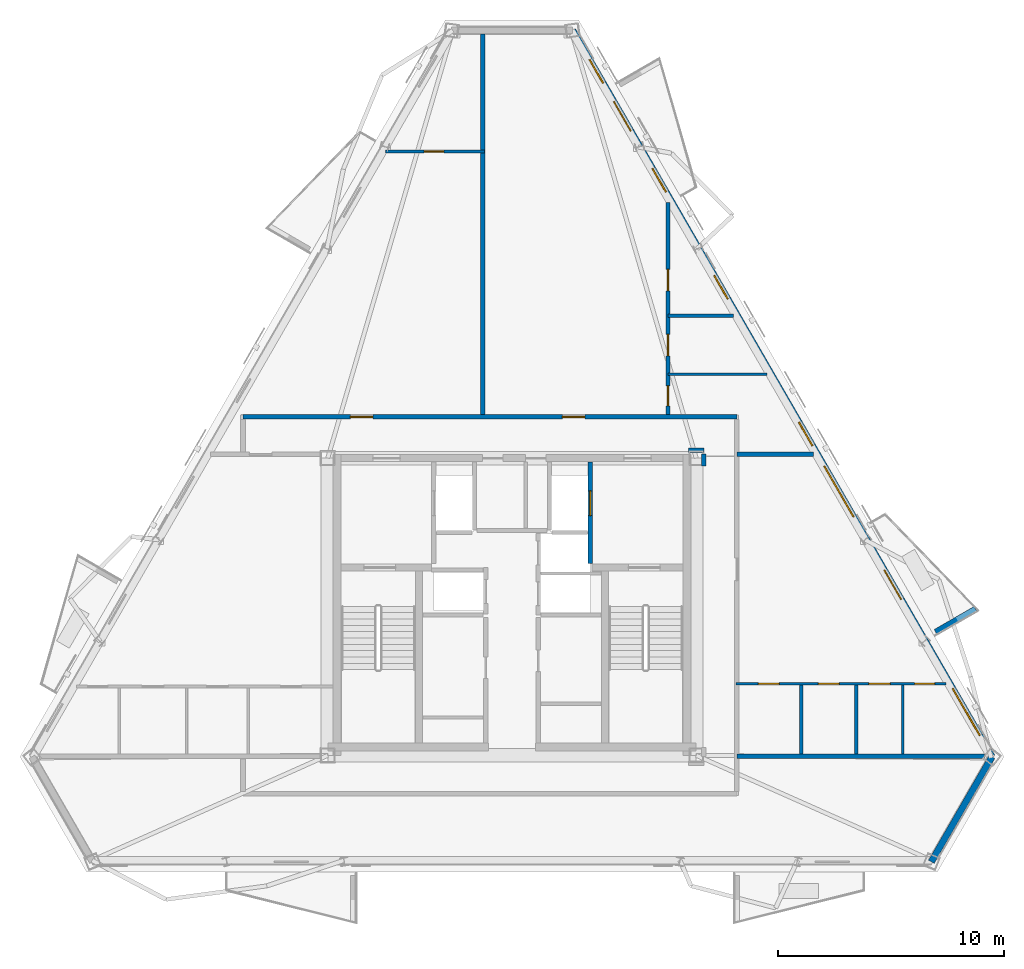
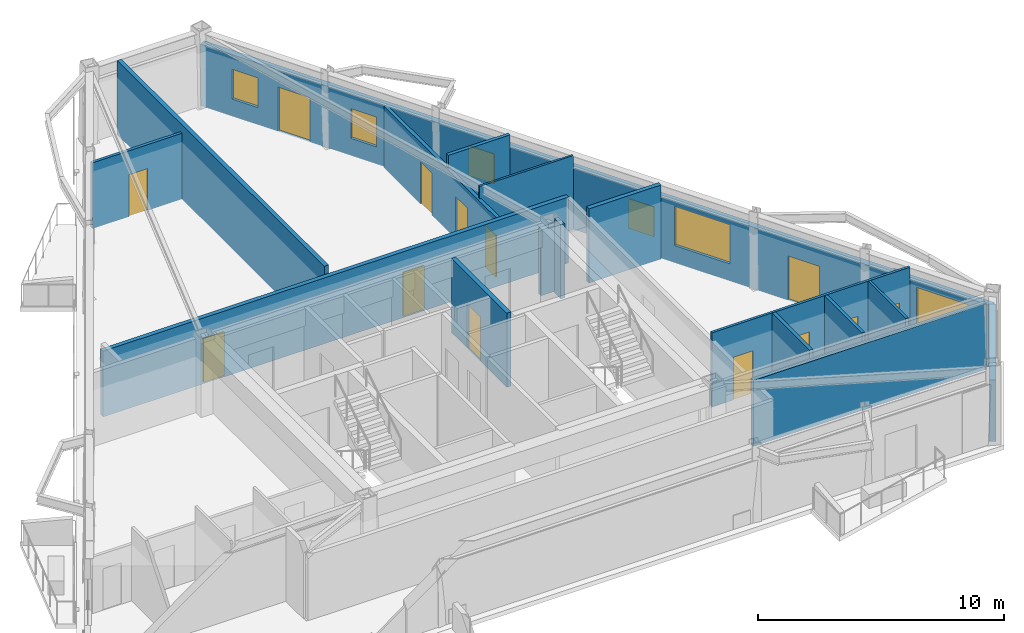
# One storey, part 4 of 9: 18 walls, 13 doors, 6 windows, 19 openings.
"""IFC4 building model written with IfcOpenShell, lengths in metres."""

from ifc_helpers import new_model, si_unit, direction, frame, frame_2d, origin, place, context, subcontext, project, spatial, polyline, rectangle, outline, extrude, material, layer, layer_set, type_object, element, fill, save


model = new_model("IFC4")

# Units and contexts
model_context = context("Model", 3, precision=1e-05, world=origin(), true_north=direction((0.0, 1.0)))
body_context = subcontext(model_context, "Body", "Model", "MODEL_VIEW")
ifc_project = project(units=[si_unit("LENGTHUNIT", "METRE"), si_unit("AREAUNIT", "SQUARE_METRE"), si_unit("VOLUMEUNIT", "CUBIC_METRE"), si_unit("PLANEANGLEUNIT", "RADIAN"), si_unit("MASSUNIT", "GRAM", prefix="KILO")], contexts=[model_context])

# Site, building, storey
site_placement = place(None, origin())
site = spatial("IfcSite", under=ifc_project, at=site_placement, CompositionType="ELEMENT")
building_placement = place(site_placement, origin())
building = spatial("IfcBuilding", under=site, at=building_placement, Name="Oramaril Tower", CompositionType="ELEMENT")
storey_placement = place(building_placement, frame((0.0, 0.0, 253.800048828125)))
storey = spatial("IfcBuildingStorey", under=building, at=storey_placement, Name="L67", CompositionType="ELEMENT", Elevation=253.800048828125)

# Wall
ifc_material_1 = material(Name="Warm Cream Limestone", Category="masonry")
ifc_layer_1 = layer(ifc_material_1, 0.2900390625)
ifc_layer_set_1 = layer_set([ifc_layer_1], Name="WT-EXT29")
wall_type_1 = type_object("IfcWallType", Name="WT-EXT29", PredefinedType="SOLIDWALL", material=ifc_layer_set_1)
wall_1_placement = place(storey_placement, frame((56.051025390625, 6.292236328125, 0.0), z_axis=(0.0, 0.0, 1.0), x_axis=(0.500020538415, 0.8660135456, 0.0)))
element("IfcWall", 1, at=wall_1_placement, inside=storey, type_object=wall_type_1, Name="L67 Tower Limestone Facade Wall 3M", PredefinedType="SOLIDWALL", context=body_context, shape_type="SweptSolid", body=[
    extrude(rectangle(XDim=5.364501953125, YDim=0.2900390625, at=frame_2d((2.68212890625, 0.0))), origin(), (0.0, 0.0, 1.0), 3.057861328125),
])

# Wall, openings, doors, windows
wall_2_placement = place(storey_placement, frame((58.7333984375, 10.93798828125, 0.0), z_axis=(0.0, 0.0, 1.0), x_axis=(-0.500001745664, 0.866024395923, 0.0)))
wall_2 = element("IfcWall", 2, at=wall_2_placement, inside=storey, type_object=wall_type_1, Name="L67 Tower Limestone Facade Wall 4M", PredefinedType="SOLIDWALL", context=body_context, shape_type="SweptSolid", body=[
    extrude(rectangle(XDim=37.102294921875, YDim=0.2900390625, at=frame_2d((18.55126953125, 0.0))), origin(), (0.0, 0.0, 1.0), 3.057861328125),
])
opening_1_placement = place(wall_2_placement, frame((8.034423828125, 0.0, 0.0)))
opening_1 = element("IfcOpeningElement", 3, at=opening_1_placement, cuts=wall_2, Name="Opening D-L67-BAL-NE1", PredefinedType="OPENING", context=body_context, shape_type="SweptSolid", body=[
    extrude(rectangle(XDim=1.5, YDim=2.199951171875, at=frame_2d((0.75, 1.10009765625))), frame((0.0, 0.14501953125, 0.0), z_axis=(0.0, -1.0, 0.0), x_axis=(1.0, 0.0, 0.0)), (0.0, 0.0, 1.0), 0.2900390625),
])
opening_2_placement = place(wall_2_placement, frame((31.962890625, 0.0, 0.0)))
opening_2 = element("IfcOpeningElement", 4, at=opening_2_placement, cuts=wall_2, Name="Opening D-L67-BAL-NE2", PredefinedType="OPENING", context=body_context, shape_type="SweptSolid", body=[
    extrude(rectangle(XDim=1.5, YDim=2.199951171875, at=frame_2d((0.75, 1.10009765625))), frame((0.0, 0.14501953125, 0.0), z_axis=(0.0, -1.0, 0.0), x_axis=(1.0, 0.0, 0.0)), (0.0, 0.0, 1.0), 0.2900390625),
])
opening_3_placement = place(wall_2_placement, frame((12.24462890625, 0.0, 0.85009765625)))
opening_3 = element("IfcOpeningElement", 5, at=opening_3_placement, cuts=wall_2, Name="Opening WN-02", PredefinedType="OPENING", context=body_context, shape_type="SweptSolid", body=[
    extrude(rectangle(XDim=2.60009765625, YDim=1.949951171875, at=frame_2d((1.300048828125, 0.97509765625))), frame((0.0, 0.14501953125, 0.0), z_axis=(0.0, -1.0, 0.0), x_axis=(1.0, 0.0, 0.0)), (0.0, 0.0, 1.0), 0.2900390625),
])
opening_4_placement = place(wall_2_placement, frame((1.0810546875, 0.0, 0.85009765625)))
opening_4 = element("IfcOpeningElement", 6, at=opening_4_placement, cuts=wall_2, Name="Opening WN-03", PredefinedType="OPENING", context=body_context, shape_type="SweptSolid", body=[
    extrude(rectangle(XDim=2.39990234375, YDim=1.89990234375, at=frame_2d((1.199951171875, 0.949951171875))), frame((0.0, 0.14501953125, 0.0), z_axis=(0.0, -1.0, 0.0), x_axis=(1.0, 0.0, 0.0)), (0.0, 0.0, 1.0), 0.2900390625),
])
opening_5_placement = place(wall_2_placement, frame((28.84228515625, 0.0, 0.85009765625)))
opening_5 = element("IfcOpeningElement", 7, at=opening_5_placement, cuts=wall_2, Name="Opening WN-09", PredefinedType="OPENING", context=body_context, shape_type="SweptSolid", body=[
    extrude(rectangle(XDim=1.199951171875, YDim=1.47998046875, at=frame_2d((0.60009765625, 0.739990234375))), frame((0.0, 0.14501953125, 0.0), z_axis=(0.0, -1.0, 0.0), x_axis=(1.0, 0.0, 0.0)), (0.0, 0.0, 1.0), 0.2900390625),
])
opening_6_placement = place(wall_2_placement, frame((34.40869140625, 0.0, 0.85009765625)))
opening_6 = element("IfcOpeningElement", 8, at=opening_6_placement, cuts=wall_2, Name="Opening WN-09", PredefinedType="OPENING", context=body_context, shape_type="SweptSolid", body=[
    extrude(rectangle(XDim=1.199951171875, YDim=1.47998046875, at=frame_2d((0.60009765625, 0.739990234375))), frame((0.0, 0.14501953125, 0.0), z_axis=(0.0, -1.0, 0.0), x_axis=(1.0, 0.0, 0.0)), (0.0, 0.0, 1.0), 0.2900390625),
])
opening_7_placement = place(wall_2_placement, frame((15.88232421875, 0.0, 0.85009765625)))
opening_7 = element("IfcOpeningElement", 9, at=opening_7_placement, cuts=wall_2, Name="Opening WN-09", PredefinedType="OPENING", context=body_context, shape_type="SweptSolid", body=[
    extrude(rectangle(XDim=1.199951171875, YDim=1.47998046875, at=frame_2d((0.60009765625, 0.739990234375))), frame((0.0, 0.14501953125, 0.0), z_axis=(0.0, -1.0, 0.0), x_axis=(1.0, 0.0, 0.0)), (0.0, 0.0, 1.0), 0.2900390625),
])
opening_8_placement = place(wall_2_placement, frame((23.378662109375, 0.0, 0.85009765625)))
opening_8 = element("IfcOpeningElement", 10, at=opening_8_placement, cuts=wall_2, Name="Opening WN-09", PredefinedType="OPENING", context=body_context, shape_type="SweptSolid", body=[
    extrude(rectangle(XDim=1.199951171875, YDim=1.47998046875, at=frame_2d((0.60009765625, 0.739990234375))), frame((0.0, 0.14501953125, 0.0), z_axis=(0.0, -1.0, 0.0), x_axis=(1.0, 0.0, 0.0)), (0.0, 0.0, 1.0), 0.2900390625),
])
ifc_material_2 = material(Name="Anodised Aluminium 6063-T6", Category="aluminium")
door_type_1 = type_object("IfcDoorType", Name="DT-BAL", OperationType="NOTDEFINED", PredefinedType="DOOR", material=ifc_material_2)
door_1_placement = place(opening_1_placement, origin())
door_1 = element("IfcDoor", 11, at=door_1_placement, inside=storey, type_object=door_type_1, Name="L67 Balcony Glazed Door L67-BAL-NE1", OperationType="SINGLE_SWING_RIGHT", OverallHeight=2.199951171875, OverallWidth=1.5, PredefinedType="DOOR", context=body_context, shape_type="SweptSolid", body=[
    extrude(rectangle(XDim=1.5, YDim=2.199951171875, at=frame_2d((0.75, 1.10009765625))), frame((0.0, 0.02490234375, 0.0), z_axis=(0.0, -1.0, 0.0), x_axis=(1.0, 0.0, 0.0)), (0.0, 0.0, 1.0), 0.050048828125),
])
fill(opening_1, door_1)
door_2_placement = place(opening_2_placement, origin())
door_2 = element("IfcDoor", 12, at=door_2_placement, inside=storey, type_object=door_type_1, Name="L67 Balcony Glazed Door L67-BAL-NE2", OperationType="SINGLE_SWING_LEFT", OverallHeight=2.199951171875, OverallWidth=1.5, PredefinedType="DOOR", context=body_context, shape_type="SweptSolid", body=[
    extrude(rectangle(XDim=1.5, YDim=2.199951171875, at=frame_2d((0.75, 1.10009765625))), frame((0.0, 0.02490234375, 0.0), z_axis=(0.0, -1.0, 0.0), x_axis=(1.0, 0.0, 0.0)), (0.0, 0.0, 1.0), 0.050048828125),
])
fill(opening_2, door_2)
ifc_material_3 = material(Name="Coastal Low-E Insulated Glass", Category="glass")
window_type_1 = type_object("IfcWindowType", Name="WNT-02", PartitioningType="SINGLE_PANEL", PredefinedType="WINDOW", material=ifc_material_3)
window_1_placement = place(opening_3_placement, origin())
window_1 = element("IfcWindow", 13, at=window_1_placement, inside=storey, type_object=window_type_1, Name="L67 Chicago Bay Window WN-02", OverallHeight=1.949951171875, OverallWidth=2.60009765625, PartitioningType="SINGLE_PANEL", PredefinedType="WINDOW", context=body_context, shape_type="SweptSolid", body=[
    extrude(rectangle(XDim=2.60009765625, YDim=1.949951171875, at=frame_2d((1.300048828125, 0.97509765625))), frame((0.0, 0.030029296875, 0.0), z_axis=(0.0, -1.0, 0.0), x_axis=(1.0, 0.0, 0.0)), (0.0, 0.0, 1.0), 0.06005859375),
])
fill(opening_3, window_1)
ifc_material_4 = material(Name="Coastal Low-E Insulated Glass", Category="glass")
window_type_2 = type_object("IfcWindowType", Name="WNT-03", PartitioningType="SINGLE_PANEL", PredefinedType="WINDOW", material=ifc_material_4)
window_2_placement = place(opening_4_placement, origin())
window_2 = element("IfcWindow", 14, at=window_2_placement, inside=storey, type_object=window_type_2, Name="L67 Chicago Bay Window WN-03", OverallHeight=1.89990234375, OverallWidth=2.39990234375, PartitioningType="SINGLE_PANEL", PredefinedType="WINDOW", context=body_context, shape_type="SweptSolid", body=[
    extrude(rectangle(XDim=2.39990234375, YDim=1.89990234375, at=frame_2d((1.199951171875, 0.949951171875))), frame((0.0, 0.030029296875, 0.0), z_axis=(0.0, -1.0, 0.0), x_axis=(1.0, 0.0, 0.0)), (0.0, 0.0, 1.0), 0.06005859375),
])
fill(opening_4, window_2)
ifc_material_5 = material(Name="Coastal Low-E Insulated Glass", Category="glass")
window_type_3 = type_object("IfcWindowType", Name="WNT-09", PartitioningType="SINGLE_PANEL", PredefinedType="WINDOW", material=ifc_material_5)
window_3_placement = place(opening_5_placement, origin())
window_3 = element("IfcWindow", 15, at=window_3_placement, inside=storey, type_object=window_type_3, Name="L67 Chicago Bay Window WN-09", OverallHeight=1.47998046875, OverallWidth=1.199951171875, PartitioningType="SINGLE_PANEL", PredefinedType="WINDOW", context=body_context, shape_type="SweptSolid", body=[
    extrude(rectangle(XDim=1.199951171875, YDim=1.47998046875, at=frame_2d((0.60009765625, 0.739990234375))), frame((0.0, 0.030029296875, 0.0), z_axis=(0.0, -1.0, 0.0), x_axis=(1.0, 0.0, 0.0)), (0.0, 0.0, 1.0), 0.06005859375),
])
fill(opening_5, window_3)
window_4_placement = place(opening_6_placement, origin())
window_4 = element("IfcWindow", 16, at=window_4_placement, inside=storey, type_object=window_type_3, Name="L67 Chicago Bay Window WN-09", OverallHeight=1.47998046875, OverallWidth=1.199951171875, PartitioningType="SINGLE_PANEL", PredefinedType="WINDOW", context=body_context, shape_type="SweptSolid", body=[
    extrude(rectangle(XDim=1.199951171875, YDim=1.47998046875, at=frame_2d((0.60009765625, 0.739990234375))), frame((0.0, 0.030029296875, 0.0), z_axis=(0.0, -1.0, 0.0), x_axis=(1.0, 0.0, 0.0)), (0.0, 0.0, 1.0), 0.06005859375),
])
fill(opening_6, window_4)
window_5_placement = place(opening_7_placement, origin())
window_5 = element("IfcWindow", 17, at=window_5_placement, inside=storey, type_object=window_type_3, Name="L67 Chicago Bay Window WN-09", OverallHeight=1.47998046875, OverallWidth=1.199951171875, PartitioningType="SINGLE_PANEL", PredefinedType="WINDOW", context=body_context, shape_type="SweptSolid", body=[
    extrude(rectangle(XDim=1.199951171875, YDim=1.47998046875, at=frame_2d((0.60009765625, 0.739990234375))), frame((0.0, 0.030029296875, 0.0), z_axis=(0.0, -1.0, 0.0), x_axis=(1.0, 0.0, 0.0)), (0.0, 0.0, 1.0), 0.06005859375),
])
fill(opening_7, window_5)
window_6_placement = place(opening_8_placement, origin())
window_6 = element("IfcWindow", 18, at=window_6_placement, inside=storey, type_object=window_type_3, Name="L67 Chicago Bay Window WN-09", OverallHeight=1.47998046875, OverallWidth=1.199951171875, PartitioningType="SINGLE_PANEL", PredefinedType="WINDOW", context=body_context, shape_type="SweptSolid", body=[
    extrude(rectangle(XDim=1.199951171875, YDim=1.47998046875, at=frame_2d((0.60009765625, 0.739990234375))), frame((0.0, 0.030029296875, 0.0), z_axis=(0.0, -1.0, 0.0), x_axis=(1.0, 0.0, 0.0)), (0.0, 0.0, 1.0), 0.06005859375),
])
fill(opening_8, window_6)

# Walls
ifc_material_6 = material(Name="Concrete C40/50", Category="concrete")
ifc_layer_2 = layer(ifc_material_6, 0.22998046875)
ifc_layer_set_2 = layer_set([ifc_layer_2], Name="WT-PRP23")
wall_type_2 = type_object("IfcWallType", Name="WT-PRP23", PredefinedType="PARAPET", material=ifc_layer_set_2)
wall_3_placement = place(storey_placement, frame((56.231689453125, 16.46728515625, 0.0), z_axis=(0.0, 0.0, 1.0), x_axis=(0.866012356593, 0.500022597718, 0.0)))
element("IfcWall", 19, at=wall_3_placement, inside=storey, type_object=wall_type_2, Name="L67 Trapezoidal Balcony Frame Cheek L67-BAL-NE1-L", PredefinedType="PARAPET", context=body_context, shape_type="SweptSolid", body=[
    extrude(outline(polyline([(0.0, 0.0), (2.0419921875, 0.0), (2.0419921875, 1.099853515625), (0.0, 1.320068359375), (0.0, 0.0)])), frame((0.0, 0.114990234375, 0.0), z_axis=(0.0, -1.0, 0.0), x_axis=(1.0, 0.0, 0.0)), (0.0, 0.0, 1.0), 0.22998046875),
])
ifc_material_7 = material(Name="Acoustic Gypsum Board Partition")
ifc_layer_3 = layer(ifc_material_7, 0.10009765625)
ifc_layer_set_3 = layer_set([ifc_layer_3], Name="WT-PT10")
wall_type_3 = type_object("IfcWallType", Name="WT-PT10", PredefinedType="PARTITIONING", material=ifc_layer_set_3)
wall_4_placement = place(storey_placement, frame((44.39501953125, 27.860107421875, 0.0), z_axis=(0.0, 0.0, 1.0), x_axis=(1.0, 0.0, 0.0)))
element("IfcWall", 20, at=wall_4_placement, inside=storey, type_object=wall_type_3, Name="L67 Interior Partition PT-10", PredefinedType="PARTITIONING", context=body_context, shape_type="SweptSolid", body=[
    extrude(rectangle(XDim=4.396484375, YDim=0.10009765625, at=frame_2d((2.1982421875, 0.0))), origin(), (0.0, 0.0, 1.0), 3.679931640625),
])

# Wall, openings, doors
ifc_material_8 = material(Name="Acoustic Gypsum Board Partition")
ifc_layer_4 = layer(ifc_material_8, 0.1201171875)
ifc_layer_set_4 = layer_set([ifc_layer_4], Name="WT-PT12")
wall_type_4 = type_object("IfcWallType", Name="WT-PT12", PredefinedType="PARTITIONING", material=ifc_layer_set_4)
wall_5_placement = place(storey_placement, frame((47.39990234375, 14.169921875, 0.0), z_axis=(0.0, 0.0, 1.0), x_axis=(1.0, 0.0, 0.0)))
wall_5 = element("IfcWall", 21, at=wall_5_placement, inside=storey, type_object=wall_type_4, Name="L67 Interior Partition PT-12", PredefinedType="PARTITIONING", context=body_context, shape_type="SweptSolid", body=[
    extrude(rectangle(XDim=9.29541015625, YDim=0.1201171875, at=frame_2d((4.647705078125, 0.0))), origin(), (0.0, 0.0, 1.0), 3.679931640625),
])
opening_9_placement = place(wall_5_placement, frame((0.994140625, 0.0, 0.0)))
opening_9 = element("IfcOpeningElement", 22, at=opening_9_placement, cuts=wall_5, Name="Opening D-L67-05", PredefinedType="OPENING", context=body_context, shape_type="SweptSolid", body=[
    extrude(rectangle(XDim=0.919921875, YDim=2.1201171875, at=frame_2d((0.4599609375, 1.06005859375))), frame((0.0, 0.06005859375, 0.0), z_axis=(0.0, -1.0, 0.0), x_axis=(1.0, 0.0, 0.0)), (0.0, 0.0, 1.0), 0.1201171875),
])
opening_10_placement = place(wall_5_placement, frame((3.64990234375, 0.0, 0.0)))
opening_10 = element("IfcOpeningElement", 23, at=opening_10_placement, cuts=wall_5, Name="Opening D-L67-06", PredefinedType="OPENING", context=body_context, shape_type="SweptSolid", body=[
    extrude(rectangle(XDim=0.919921875, YDim=2.1201171875, at=frame_2d((0.4599609375, 1.06005859375))), frame((0.0, 0.06005859375, 0.0), z_axis=(0.0, -1.0, 0.0), x_axis=(1.0, 0.0, 0.0)), (0.0, 0.0, 1.0), 0.1201171875),
])
opening_11_placement = place(wall_5_placement, frame((5.881591796875, 0.0, 0.0)))
opening_11 = element("IfcOpeningElement", 24, at=opening_11_placement, cuts=wall_5, Name="Opening D-L67-07", PredefinedType="OPENING", context=body_context, shape_type="SweptSolid", body=[
    extrude(rectangle(XDim=0.949951171875, YDim=2.10009765625, at=frame_2d((0.47509765625, 1.050048828125))), frame((0.0, 0.06005859375, 0.0), z_axis=(0.0, -1.0, 0.0), x_axis=(1.0, 0.0, 0.0)), (0.0, 0.0, 1.0), 0.1201171875),
])
opening_12_placement = place(wall_5_placement, frame((7.912841796875, 0.0, 0.0)))
opening_12 = element("IfcOpeningElement", 25, at=opening_12_placement, cuts=wall_5, Name="Opening D-L67-08", PredefinedType="OPENING", context=body_context, shape_type="SweptSolid", body=[
    extrude(rectangle(XDim=0.8798828125, YDim=2.080078125, at=frame_2d((0.43994140625, 1.0400390625))), frame((0.0, 0.06005859375, 0.0), z_axis=(0.0, -1.0, 0.0), x_axis=(1.0, 0.0, 0.0)), (0.0, 0.0, 1.0), 0.1201171875),
])
ifc_material_9 = material(Name="FSC Brazilian Freijo Hardwood", Category="wood")
door_type_2 = type_object("IfcDoorType", Name="DT-BATH", OperationType="NOTDEFINED", PredefinedType="DOOR", material=ifc_material_9)
door_3_placement = place(opening_12_placement, origin())
door_3 = element("IfcDoor", 26, at=door_3_placement, inside=storey, type_object=door_type_2, Name="L67 Flat L67-U3 Bathroom Door D-L67-08", OperationType="SINGLE_SWING_LEFT", OverallHeight=2.080078125, OverallWidth=0.8798828125, PredefinedType="DOOR", context=body_context, shape_type="SweptSolid", body=[
    extrude(rectangle(XDim=0.8798828125, YDim=2.080078125, at=frame_2d((0.43994140625, 1.0400390625))), frame((0.0, 0.02490234375, 0.0), z_axis=(0.0, -1.0, 0.0), x_axis=(1.0, 0.0, 0.0)), (0.0, 0.0, 1.0), 0.050048828125),
])
fill(opening_12, door_3)
ifc_material_10 = material(Name="FSC Brazilian Freijo Hardwood", Category="wood")
door_type_3 = type_object("IfcDoorType", Name="DT-BED", OperationType="NOTDEFINED", PredefinedType="DOOR", material=ifc_material_10)
door_4_placement = place(opening_9_placement, origin())
door_4 = element("IfcDoor", 27, at=door_4_placement, inside=storey, type_object=door_type_3, Name="L67 Flat L67-U3 Master Bedroom Door D-L67-05", OperationType="SINGLE_SWING_RIGHT", OverallHeight=2.1201171875, OverallWidth=0.919921875, PredefinedType="DOOR", context=body_context, shape_type="SweptSolid", body=[
    extrude(rectangle(XDim=0.919921875, YDim=2.1201171875, at=frame_2d((0.4599609375, 1.06005859375))), frame((0.0, 0.02490234375, 0.0), z_axis=(0.0, -1.0, 0.0), x_axis=(1.0, 0.0, 0.0)), (0.0, 0.0, 1.0), 0.050048828125),
])
fill(opening_9, door_4)
door_5_placement = place(opening_10_placement, origin())
door_5 = element("IfcDoor", 28, at=door_5_placement, inside=storey, type_object=door_type_3, Name="L67 Flat L67-U3 Bedroom 2 Door D-L67-06", OperationType="SINGLE_SWING_LEFT", OverallHeight=2.1201171875, OverallWidth=0.919921875, PredefinedType="DOOR", context=body_context, shape_type="SweptSolid", body=[
    extrude(rectangle(XDim=0.919921875, YDim=2.1201171875, at=frame_2d((0.4599609375, 1.06005859375))), frame((0.0, 0.02490234375, 0.0), z_axis=(0.0, -1.0, 0.0), x_axis=(1.0, 0.0, 0.0)), (0.0, 0.0, 1.0), 0.050048828125),
])
fill(opening_10, door_5)
ifc_material_11 = material(Name="FSC Brazilian Freijo Hardwood", Category="wood")
door_type_4 = type_object("IfcDoorType", Name="DT-STDY", OperationType="NOTDEFINED", PredefinedType="DOOR", material=ifc_material_11)
door_6_placement = place(opening_11_placement, origin())
door_6 = element("IfcDoor", 29, at=door_6_placement, inside=storey, type_object=door_type_4, Name="L67 Flat L67-U3 Kitchen Door D-L67-07", OperationType="SINGLE_SWING_RIGHT", OverallHeight=2.10009765625, OverallWidth=0.949951171875, PredefinedType="DOOR", context=body_context, shape_type="SweptSolid", body=[
    extrude(rectangle(XDim=0.949951171875, YDim=2.10009765625, at=frame_2d((0.47509765625, 1.050048828125))), frame((0.0, 0.02490234375, 0.0), z_axis=(0.0, -1.0, 0.0), x_axis=(1.0, 0.0, 0.0)), (0.0, 0.0, 1.0), 0.050048828125),
])
fill(opening_11, door_6)

# Wall
wall_6_placement = place(storey_placement, frame((54.780029296875, 11.053955078125, 0.0), z_axis=(0.0, 0.0, 1.0), x_axis=(0.0, 1.0, 0.0)))
element("IfcWall", 30, at=wall_6_placement, inside=storey, type_object=wall_type_4, Name="L67 Interior Partition PT-12", PredefinedType="PARTITIONING", context=body_context, shape_type="SweptSolid", body=[
    extrude(rectangle(XDim=3.052001953125, YDim=0.1201171875, at=frame_2d((1.52587890625, 0.0))), origin(), (0.0, 0.0, 1.0), 3.679931640625),
])

# Wall, opening, door
ifc_material_12 = material(Name="Acoustic Gypsum Board Partition")
ifc_layer_5 = layer(ifc_material_12, 0.139892578125)
ifc_layer_set_5 = layer_set([ifc_layer_5], Name="WT-PT14")
wall_type_5 = type_object("IfcWallType", Name="WT-PT14", PredefinedType="PARTITIONING", material=ifc_layer_set_5)
wall_7_placement = place(storey_placement, frame((31.8955078125, 37.7099609375, 0.0), z_axis=(0.0, 0.0, 1.0), x_axis=(1.0, 0.0, 0.0)))
wall_7 = element("IfcWall", 31, at=wall_7_placement, inside=storey, type_object=wall_type_5, Name="L67 Interior Partition PT-14", PredefinedType="PARTITIONING", context=body_context, shape_type="SweptSolid", body=[
    extrude(rectangle(XDim=4.386474609375, YDim=0.139892578125, at=frame_2d((2.193359375, 0.0))), origin(), (0.0, 0.0, 1.0), 3.265869140625),
])
opening_13_placement = place(wall_7_placement, frame((1.712646484375, 0.0, 0.0)))
opening_13 = element("IfcOpeningElement", 32, at=opening_13_placement, cuts=wall_7, Name="Opening D-L67-12", PredefinedType="OPENING", context=body_context, shape_type="SweptSolid", body=[
    extrude(rectangle(XDim=0.8798828125, YDim=2.080078125, at=frame_2d((0.43994140625, 1.0400390625))), frame((0.0, 0.06982421875, 0.0), z_axis=(0.0, -1.0, 0.0), x_axis=(1.0, 0.0, 0.0)), (0.0, 0.0, 1.0), 0.139892578125),
])
door_7_placement = place(opening_13_placement, origin())
door_7 = element("IfcDoor", 33, at=door_7_placement, inside=storey, type_object=door_type_2, Name="L67 Flat L67-U4 Bathroom Door D-L67-12", OperationType="SINGLE_SWING_LEFT", OverallHeight=2.080078125, OverallWidth=0.8798828125, PredefinedType="DOOR", context=body_context, shape_type="SweptSolid", body=[
    extrude(rectangle(XDim=0.8798828125, YDim=2.080078125, at=frame_2d((0.43994140625, 1.0400390625))), frame((0.0, 0.02490234375, 0.0), z_axis=(0.0, -1.0, 0.0), x_axis=(1.0, 0.0, 0.0)), (0.0, 0.0, 1.0), 0.050048828125),
])
fill(opening_13, door_7)

# Walls
wall_8_placement = place(storey_placement, frame((52.72998046875, 11.053955078125, 0.0), z_axis=(0.0, 0.0, 1.0), x_axis=(0.0, 1.0, 0.0)))
element("IfcWall", 34, at=wall_8_placement, inside=storey, type_object=wall_type_5, Name="L67 Interior Partition PT-14", PredefinedType="PARTITIONING", context=body_context, shape_type="SweptSolid", body=[
    extrude(rectangle(XDim=3.052001953125, YDim=0.139892578125, at=frame_2d((1.52587890625, 0.0))), origin(), (0.0, 0.0, 1.0), 3.679931640625),
])
ifc_material_13 = material(Name="Acoustic Gypsum Board Partition")
ifc_layer_6 = layer(ifc_material_13, 0.159912109375)
ifc_layer_set_6 = layer_set([ifc_layer_6], Name="WT-PT16")
wall_type_6 = type_object("IfcWallType", Name="WT-PT16", PredefinedType="PARTITIONING", material=ifc_layer_set_6)
wall_9_placement = place(storey_placement, frame((44.39501953125, 30.43994140625, 0.0), z_axis=(0.0, 0.0, 1.0), x_axis=(1.0, 0.0, 0.0)))
element("IfcWall", 35, at=wall_9_placement, inside=storey, type_object=wall_type_6, Name="L67 Interior Partition PT-16", PredefinedType="PARTITIONING", context=body_context, shape_type="SweptSolid", body=[
    extrude(rectangle(XDim=2.906982421875, YDim=0.159912109375, at=frame_2d((1.45361328125, 0.0))), origin(), (0.0, 0.0, 1.0), 3.679931640625),
])

# Wall, openings, doors
wall_10_placement = place(storey_placement, frame((44.39990234375, 26.073974609375, 0.0), z_axis=(0.0, 0.0, 1.0), x_axis=(0.0, 1.0, 0.0)))
wall_10 = element("IfcWall", 36, at=wall_10_placement, inside=storey, type_object=wall_type_6, Name="L67 Interior Partition PT-16", PredefinedType="PARTITIONING", context=body_context, shape_type="SweptSolid", body=[
    extrude(rectangle(XDim=9.392333984375, YDim=0.159912109375, at=frame_2d((4.6962890625, 0.0))), origin(), (0.0, 0.0, 1.0), 3.057861328125),
])
opening_14_placement = place(wall_10_placement, frame((0.385986328125, 0.0, 0.0)))
opening_14 = element("IfcOpeningElement", 37, at=opening_14_placement, cuts=wall_10, Name="Opening D-L67-13", PredefinedType="OPENING", context=body_context, shape_type="SweptSolid", body=[
    extrude(rectangle(XDim=0.8798828125, YDim=2.080078125, at=frame_2d((0.43994140625, 1.0400390625))), frame((0.0, 0.080078125, 0.0), z_axis=(0.0, -1.0, 0.0), x_axis=(1.0, 0.0, 0.0)), (0.0, 0.0, 1.0), 0.159912109375),
])
opening_15_placement = place(wall_10_placement, frame((2.602783203125, 0.0, 0.0)))
opening_15 = element("IfcOpeningElement", 38, at=opening_15_placement, cuts=wall_10, Name="Opening D-L67-14", PredefinedType="OPENING", context=body_context, shape_type="SweptSolid", body=[
    extrude(rectangle(XDim=0.949951171875, YDim=2.10009765625, at=frame_2d((0.47509765625, 1.050048828125))), frame((0.0, 0.080078125, 0.0), z_axis=(0.0, -1.0, 0.0), x_axis=(1.0, 0.0, 0.0)), (0.0, 0.0, 1.0), 0.159912109375),
])
opening_16_placement = place(wall_10_placement, frame((5.469482421875, 0.0, 0.0)))
opening_16 = element("IfcOpeningElement", 39, at=opening_16_placement, cuts=wall_10, Name="Opening D-L67-15", PredefinedType="OPENING", context=body_context, shape_type="SweptSolid", body=[
    extrude(rectangle(XDim=0.949951171875, YDim=2.10009765625, at=frame_2d((0.47509765625, 1.050048828125))), frame((0.0, 0.080078125, 0.0), z_axis=(0.0, -1.0, 0.0), x_axis=(1.0, 0.0, 0.0)), (0.0, 0.0, 1.0), 0.159912109375),
])
door_8_placement = place(opening_14_placement, origin())
door_8 = element("IfcDoor", 40, at=door_8_placement, inside=storey, type_object=door_type_2, Name="L67 Flat L67-U5 Bathroom Door D-L67-13", OperationType="SINGLE_SWING_RIGHT", OverallHeight=2.080078125, OverallWidth=0.8798828125, PredefinedType="DOOR", context=body_context, shape_type="SweptSolid", body=[
    extrude(rectangle(XDim=0.8798828125, YDim=2.080078125, at=frame_2d((0.43994140625, 1.0400390625))), frame((0.0, 0.02490234375, 0.0), z_axis=(0.0, -1.0, 0.0), x_axis=(1.0, 0.0, 0.0)), (0.0, 0.0, 1.0), 0.050048828125),
])
fill(opening_14, door_8)
door_9_placement = place(opening_15_placement, origin())
door_9 = element("IfcDoor", 41, at=door_9_placement, inside=storey, type_object=door_type_4, Name="L67 Flat L67-U5 Kitchen Door D-L67-14", OperationType="SINGLE_SWING_LEFT", OverallHeight=2.10009765625, OverallWidth=0.949951171875, PredefinedType="DOOR", context=body_context, shape_type="SweptSolid", body=[
    extrude(rectangle(XDim=0.949951171875, YDim=2.10009765625, at=frame_2d((0.47509765625, 1.050048828125))), frame((0.0, 0.02490234375, 0.0), z_axis=(0.0, -1.0, 0.0), x_axis=(1.0, 0.0, 0.0)), (0.0, 0.0, 1.0), 0.050048828125),
])
fill(opening_15, door_9)
door_10_placement = place(opening_16_placement, origin())
door_10 = element("IfcDoor", 42, at=door_10_placement, inside=storey, type_object=door_type_4, Name="L67 Flat L67-U5 Breakfast Dining Room Door D-L67-15", OperationType="SINGLE_SWING_RIGHT", OverallHeight=2.10009765625, OverallWidth=0.949951171875, PredefinedType="DOOR", context=body_context, shape_type="SweptSolid", body=[
    extrude(rectangle(XDim=0.949951171875, YDim=2.10009765625, at=frame_2d((0.47509765625, 1.050048828125))), frame((0.0, 0.02490234375, 0.0), z_axis=(0.0, -1.0, 0.0), x_axis=(1.0, 0.0, 0.0)), (0.0, 0.0, 1.0), 0.050048828125),
])
fill(opening_16, door_10)

# Walls
wall_11_placement = place(storey_placement, frame((50.2900390625, 11.053955078125, 0.0), z_axis=(0.0, 0.0, 1.0), x_axis=(0.0, 1.0, 0.0)))
element("IfcWall", 43, at=wall_11_placement, inside=storey, type_object=wall_type_6, Name="L67 Interior Partition PT-16", PredefinedType="PARTITIONING", context=body_context, shape_type="SweptSolid", body=[
    extrude(rectangle(XDim=3.052001953125, YDim=0.159912109375, at=frame_2d((1.52587890625, 0.0))), origin(), (0.0, 0.0, 1.0), 3.679931640625),
])
ifc_material_14 = material(Name="Autoclaved Cellular Concrete Block", Category="concrete")
ifc_layer_7 = layer(ifc_material_14, 0.199951171875)
ifc_layer_set_7 = layer_set([ifc_layer_7], Name="WT-PT20")
wall_type_7 = type_object("IfcWallType", Name="WT-PT20", PredefinedType="PARTITIONING", material=ifc_layer_set_7)
wall_12_placement = place(storey_placement, frame((47.449951171875, 10.949951171875, 0.0), z_axis=(0.0, 0.0, 1.0), x_axis=(1.0, 0.0, 0.0)))
element("IfcWall", 44, at=wall_12_placement, inside=storey, type_object=wall_type_7, Name="L67 Interior Partition PT-20", PredefinedType="PARTITIONING", context=body_context, shape_type="SweptSolid", body=[
    extrude(rectangle(XDim=10.947998046875, YDim=0.199951171875, at=frame_2d((5.47412109375, 0.0))), origin(), (0.0, 0.0, 1.0), 3.265869140625),
])
wall_13_placement = place(storey_placement, frame((47.449951171875, 24.320068359375, 0.0), z_axis=(0.0, 0.0, 1.0), x_axis=(1.0, 0.0, 0.0)))
element("IfcWall", 45, at=wall_13_placement, inside=storey, type_object=wall_type_7, Name="L67 Interior Partition PT-20", PredefinedType="PARTITIONING", context=body_context, shape_type="SweptSolid", body=[
    extrude(rectangle(XDim=3.38525390625, YDim=0.199951171875, at=frame_2d((1.692626953125, 0.0))), origin(), (0.0, 0.0, 1.0), 3.679931640625),
])
wall_14_placement = place(storey_placement, frame((45.304931640625, 24.5, 0.0), z_axis=(0.0, 0.0, 1.0), x_axis=(1.0, 0.0, 0.0)))
element("IfcWall", 46, at=wall_14_placement, inside=storey, type_object=wall_type_7, Name="L67 Interior Partition PT-20", PredefinedType="PARTITIONING", context=body_context, shape_type="SweptSolid", body=[
    extrude(rectangle(XDim=0.690185546875, YDim=0.199951171875, at=frame_2d((0.34521484375, 0.0))), origin(), (0.0, 0.0, 1.0), 3.265869140625),
])

# Wall, openings, doors
wall_15_placement = place(storey_placement, frame((25.60009765625, 25.969970703125, 0.0), z_axis=(0.0, 0.0, 1.0), x_axis=(1.0, 0.0, 0.0)))
wall_15 = element("IfcWall", 47, at=wall_15_placement, inside=storey, type_object=wall_type_7, Name="L67 Interior Partition PT-20", PredefinedType="PARTITIONING", context=body_context, shape_type="SweptSolid", body=[
    extrude(rectangle(XDim=21.849853515625, YDim=0.199951171875, at=frame_2d((10.9248046875, 0.0))), origin(), (0.0, 0.0, 1.0), 3.265869140625),
])
opening_17_placement = place(wall_15_placement, frame((4.74658203125, 0.0, 0.0)))
opening_17 = element("IfcOpeningElement", 48, at=opening_17_placement, cuts=wall_15, Name="Opening D-L67-10", PredefinedType="OPENING", context=body_context, shape_type="SweptSolid", body=[
    extrude(rectangle(XDim=1.0, YDim=2.179931640625, at=frame_2d((0.5, 1.08984375))), frame((0.0, 0.10009765625, 0.0), z_axis=(0.0, -1.0, 0.0), x_axis=(1.0, 0.0, 0.0)), (0.0, 0.0, 1.0), 0.199951171875),
])
opening_18_placement = place(wall_15_placement, frame((14.123046875, 0.0, 0.0)))
opening_18 = element("IfcOpeningElement", 49, at=opening_18_placement, cuts=wall_15, Name="Opening D-L67-11", PredefinedType="OPENING", context=body_context, shape_type="SweptSolid", body=[
    extrude(rectangle(XDim=1.0, YDim=2.179931640625, at=frame_2d((0.5, 1.08984375))), frame((0.0, 0.10009765625, 0.0), z_axis=(0.0, -1.0, 0.0), x_axis=(1.0, 0.0, 0.0)), (0.0, 0.0, 1.0), 0.199951171875),
])
ifc_material_15 = material(Name="FSC Brazilian Freijo Hardwood", Category="wood")
door_type_5 = type_object("IfcDoorType", Name="DT-APT", OperationType="NOTDEFINED", PredefinedType="DOOR", material=ifc_material_15)
door_11_placement = place(opening_17_placement, origin())
door_11 = element("IfcDoor", 50, at=door_11_placement, inside=storey, type_object=door_type_5, Name="L67 Flat L67-U4 Kitchen and Studio Apartment Door D-L67-10", OperationType="SINGLE_SWING_LEFT", OverallHeight=2.179931640625, OverallWidth=1.0, PredefinedType="DOOR", context=body_context, shape_type="SweptSolid", body=[
    extrude(rectangle(XDim=1.0, YDim=2.179931640625, at=frame_2d((0.5, 1.08984375))), frame((0.0, 0.02490234375, 0.0), z_axis=(0.0, -1.0, 0.0), x_axis=(1.0, 0.0, 0.0)), (0.0, 0.0, 1.0), 0.050048828125),
])
fill(opening_17, door_11)
door_12_placement = place(opening_18_placement, origin())
door_12 = element("IfcDoor", 51, at=door_12_placement, inside=storey, type_object=door_type_5, Name="L67 Flat L67-U5 Studio Apartment Door D-L67-11", OperationType="SINGLE_SWING_RIGHT", OverallHeight=2.179931640625, OverallWidth=1.0, PredefinedType="DOOR", context=body_context, shape_type="SweptSolid", body=[
    extrude(rectangle(XDim=1.0, YDim=2.179931640625, at=frame_2d((0.5, 1.08984375))), frame((0.0, 0.02490234375, 0.0), z_axis=(0.0, -1.0, 0.0), x_axis=(1.0, 0.0, 0.0)), (0.0, 0.0, 1.0), 0.050048828125),
])
fill(opening_18, door_12)

# Walls
wall_16_placement = place(storey_placement, frame((36.199951171875, 26.073974609375, 0.0), z_axis=(0.0, 0.0, 1.0), x_axis=(0.0, 1.0, 0.0)))
element("IfcWall", 52, at=wall_16_placement, inside=storey, type_object=wall_type_7, Name="L67 Interior Partition PT-20", PredefinedType="PARTITIONING", context=body_context, shape_type="SweptSolid", body=[
    extrude(rectangle(XDim=16.8466796875, YDim=0.199951171875, at=frame_2d((8.42333984375, 0.0))), origin(), (0.0, 0.0, 1.0), 3.679931640625),
])
wall_17_placement = place(storey_placement, frame((45.989990234375, 23.81005859375, 0.0), z_axis=(0.0, 0.0, 1.0), x_axis=(0.0, 1.0, 0.0)))
element("IfcWall", 53, at=wall_17_placement, inside=storey, type_object=wall_type_7, Name="L67 Interior Partition PT-20", PredefinedType="PARTITIONING", context=body_context, shape_type="SweptSolid", body=[
    extrude(rectangle(XDim=0.510009765625, YDim=0.199951171875, at=frame_2d((0.2548828125, 0.0))), origin(), (0.0, 0.0, 1.0), 3.679931640625),
])

# Wall, opening, door
ifc_material_16 = material(Name="Autoclaved Cellular Concrete Block", Category="concrete")
ifc_layer_8 = layer(ifc_material_16, 0.199951171875)
ifc_layer_set_8 = layer_set([ifc_layer_8], Name="WT-SHF20")
wall_type_8 = type_object("IfcWallType", Name="WT-SHF20", PredefinedType="PARTITIONING", material=ifc_layer_set_8)
wall_18_placement = place(storey_placement, frame((40.9599609375, 19.47998046875, 0.0), z_axis=(0.0, 0.0, 1.0), x_axis=(0.0, 1.0, 0.0)))
wall_18 = element("IfcWall", 54, at=wall_18_placement, inside=storey, type_object=wall_type_8, Name="L67 FL-2 Lobby Shaft Wall", PredefinedType="PARTITIONING", context=body_context, shape_type="SweptSolid", body=[
    extrude(rectangle(XDim=4.5, YDim=0.199951171875, at=frame_2d((2.25, 0.0))), origin(), (0.0, 0.0, 1.0), 3.679931640625),
])
opening_19_placement = place(wall_18_placement, frame((2.1201171875, 0.0, 0.0)))
opening_19 = element("IfcOpeningElement", 55, at=opening_19_placement, cuts=wall_18, Name="Opening LD-L67-FL-2", PredefinedType="OPENING", context=body_context, shape_type="SweptSolid", body=[
    extrude(rectangle(XDim=1.10009765625, YDim=2.199951171875, at=frame_2d((0.550048828125, 1.10009765625))), frame((0.0, 0.10009765625, 0.0), z_axis=(0.0, -1.0, 0.0), x_axis=(1.0, 0.0, 0.0)), (0.0, 0.0, 1.0), 0.199951171875),
])
ifc_material_17 = material(Name="Stainless Steel 316L", Category="steel")
door_type_6 = type_object("IfcDoorType", Name="DT-LD1", OperationType="NOTDEFINED", PredefinedType="DOOR", material=ifc_material_17)
door_13_placement = place(opening_19_placement, origin())
door_13 = element("IfcDoor", 56, at=door_13_placement, inside=storey, type_object=door_type_6, Name="L67 Lift FL-2 Sliding Landing Door", OperationType="SLIDING_TO_RIGHT", OverallHeight=2.199951171875, OverallWidth=1.10009765625, PredefinedType="DOOR", context=body_context, shape_type="SweptSolid", body=[
    extrude(rectangle(XDim=1.10009765625, YDim=2.199951171875, at=frame_2d((0.550048828125, 1.10009765625))), frame((0.0, 0.02490234375, 0.0), z_axis=(0.0, -1.0, 0.0), x_axis=(1.0, 0.0, 0.0)), (0.0, 0.0, 1.0), 0.050048828125),
])
fill(opening_19, door_13)

save(model, "model.ifc")
